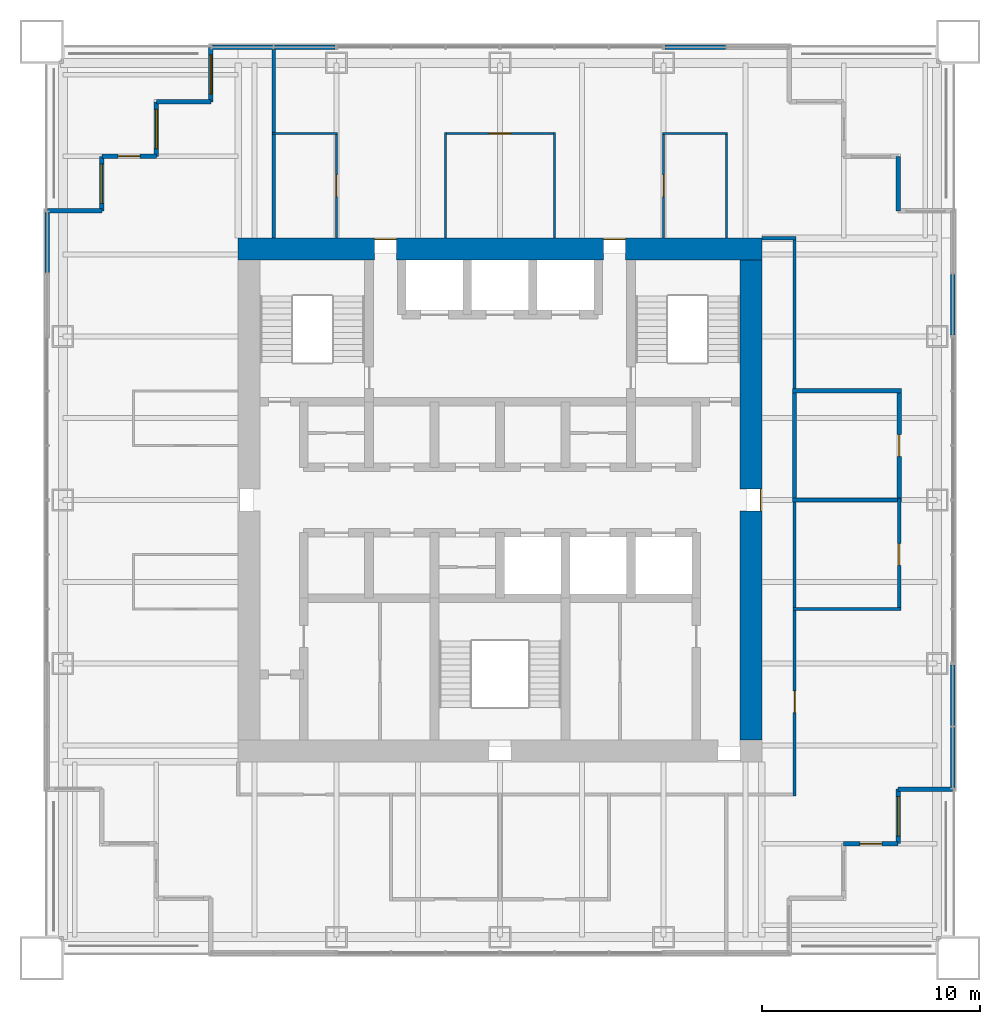
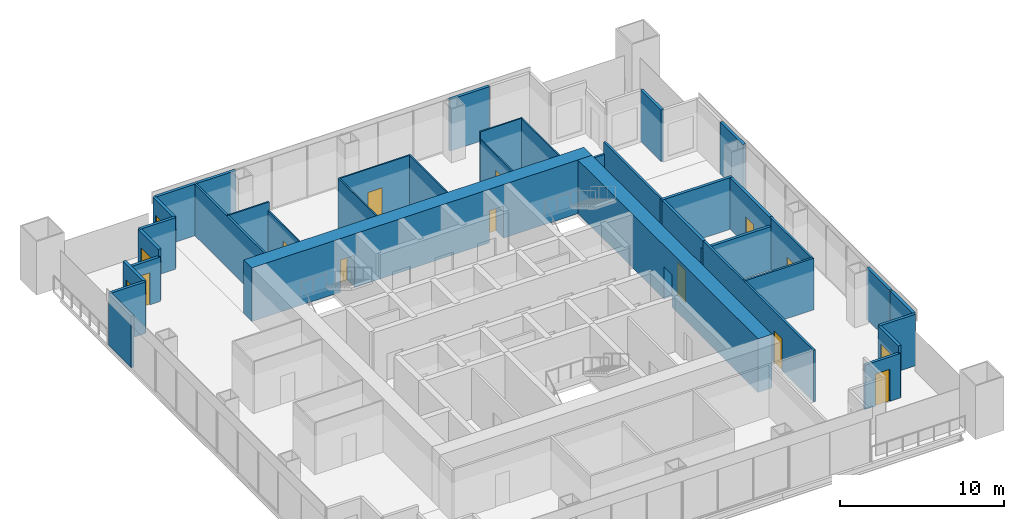
# One storey, part 11 of 14: 37 walls, 11 doors, 4 windows, 15 openings.
"""IFC4 building model written with IfcOpenShell, lengths in metres."""

from ifc_helpers import new_model, si_unit, direction, frame, frame_2d, origin, place, context, subcontext, project, spatial, rectangle, extrude, material, layer, layer_set, type_object, element, fill, save


model = new_model("IFC4")

# Units and contexts
model_context = context("Model", 3, precision=1e-05, world=origin(), true_north=direction((0.0, 1.0)))
body_context = subcontext(model_context, "Body", "Model", "MODEL_VIEW")
ifc_project = project(units=[si_unit("LENGTHUNIT", "METRE"), si_unit("AREAUNIT", "SQUARE_METRE"), si_unit("VOLUMEUNIT", "CUBIC_METRE"), si_unit("PLANEANGLEUNIT", "RADIAN"), si_unit("MASSUNIT", "GRAM", prefix="KILO")], contexts=[model_context])

# Site, building, storey
site_placement = place(None, origin())
site = spatial("IfcSite", under=ifc_project, at=site_placement, CompositionType="ELEMENT")
building_placement = place(site_placement, origin())
building = spatial("IfcBuilding", under=site, at=building_placement, Name="Tarangal Relay Tower", CompositionType="ELEMENT")
storey_placement = place(building_placement, frame((0.0, 0.0, 287.89990234375)))
storey = spatial("IfcBuildingStorey", under=building, at=storey_placement, Name="L63", CompositionType="ELEMENT", Elevation=287.89990234375)

# Walls
ifc_material_1 = material(Name="Two layers gypsum board each side on twin steel studs, mineral wool", Category="steel")
ifc_layer_1 = layer(ifc_material_1, 0.199951171875)
ifc_layer_set_1 = layer_set([ifc_layer_1], Name="Acoustic partition 200")
wall_type_1 = type_object("IfcWallType", Name="Acoustic partition 200", PredefinedType="PARTITIONING", material=ifc_layer_set_1)
wall_1_placement = place(storey_placement, frame((13.39990234375, 0.0, 0.0), z_axis=(0.0, 0.0, 1.0), x_axis=(1.0, 0.0, 0.0)))
element("IfcWall", 1, at=wall_1_placement, inside=storey, type_object=wall_type_1, Name="Partition PT2 L63", PredefinedType="PARTITIONING", context=body_context, shape_type="SweptSolid", body=[
    extrude(rectangle(XDim=5.0, YDim=0.199951171875, at=frame_2d((2.5, 0.0))), origin(), (0.0, 0.0, 1.0), 3.2431640625),
])
wall_2_placement = place(storey_placement, frame((13.39990234375, 5.0, 0.0), z_axis=(0.0, 0.0, 1.0), x_axis=(1.0, 0.0, 0.0)))
element("IfcWall", 2, at=wall_2_placement, inside=storey, type_object=wall_type_1, Name="Partition PT2 L63", PredefinedType="PARTITIONING", context=body_context, shape_type="SweptSolid", body=[
    extrude(rectangle(XDim=5.0, YDim=0.199951171875, at=frame_2d((2.5, 0.0))), origin(), (0.0, 0.0, 1.0), 3.85009765625),
])
wall_3_placement = place(storey_placement, frame((13.5, -0.10009765625, 0.0), z_axis=(0.0, 0.0, 1.0), x_axis=(0.0, 1.0, 0.0)))
element("IfcWall", 3, at=wall_3_placement, inside=storey, type_object=wall_type_1, Name="Partition PT2 L63", PredefinedType="PARTITIONING", context=body_context, shape_type="SweptSolid", body=[
    extrude(rectangle(XDim=5.2001953125, YDim=0.199951171875, at=frame_2d((2.60009765625, 0.0))), origin(), (0.0, 0.0, 1.0), 3.85009765625),
])

# Wall, opening, door
wall_4_placement = place(storey_placement, frame((18.300048828125, -0.10009765625, 0.0), z_axis=(0.0, 0.0, 1.0), x_axis=(0.0, 1.0, 0.0)))
wall_4 = element("IfcWall", 4, at=wall_4_placement, inside=storey, type_object=wall_type_1, Name="Partition PT2 L63", PredefinedType="PARTITIONING", context=body_context, shape_type="SweptSolid", body=[
    extrude(rectangle(XDim=5.2001953125, YDim=0.199951171875, at=frame_2d((2.60009765625, 0.0))), origin(), (0.0, 0.0, 1.0), 3.85009765625),
])
opening_1_placement = place(wall_4_placement, frame((2.10009765625, 0.0, 0.0)))
opening_1 = element("IfcOpeningElement", 5, at=opening_1_placement, cuts=wall_4, Name="Opening D2", PredefinedType="OPENING", context=body_context, shape_type="SweptSolid", body=[
    extrude(rectangle(XDim=1.0, YDim=2.10009765625, at=frame_2d((0.5, 1.050048828125))), frame((0.0, 0.10986328125, 0.0), z_axis=(0.0, -1.0, 0.0), x_axis=(1.0, 0.0, 0.0)), (0.0, 0.0, 1.0), 0.219970703125),
])
ifc_material_2 = material(Name="Hardwood door", Category="wood")
door_type_1 = type_object("IfcDoorType", Name="Door 1000 x 2100", OperationType="SINGLE_SWING_LEFT", PredefinedType="DOOR", material=ifc_material_2)
door_1_placement = place(opening_1_placement, origin())
door_1 = element("IfcDoor", 6, at=door_1_placement, inside=storey, type_object=door_type_1, Name="Door D2 to wellness room L63-05", OperationType="SINGLE_SWING_LEFT", OverallHeight=2.10009765625, OverallWidth=1.0, PredefinedType="DOOR", context=body_context, shape_type="SweptSolid", body=[
    extrude(rectangle(XDim=1.0, YDim=2.10009765625, at=frame_2d((0.5, 1.050048828125))), frame((0.0, 0.02490234375, 0.0), z_axis=(0.0, -1.0, 0.0), x_axis=(1.0, 0.0, 0.0)), (0.0, 0.0, 1.0), 0.050048828125),
])
fill(opening_1, door_1)

# Wall, openings, doors
ifc_material_3 = material(Name="Concrete fc' 60 MPa", Category="concrete")
ifc_layer_2 = layer(ifc_material_3, 1.0)
ifc_layer_set_2 = layer_set([ifc_layer_2], Name="Core wall 1000")
wall_type_2 = type_object("IfcWallType", Name="Core wall 1000", PredefinedType="SHEAR", material=ifc_layer_set_2)
wall_5_placement = place(storey_placement, frame((-12.0, 11.5, 0.0), z_axis=(0.0, 0.0, 1.0), x_axis=(1.0, 0.0, 0.0)))
wall_5 = element("IfcWall", 7, at=wall_5_placement, inside=storey, type_object=wall_type_2, Name="Core wall N L63", PredefinedType="SHEAR", context=body_context, shape_type="SweptSolid", body=[
    extrude(rectangle(XDim=24.0, YDim=1.0, at=frame_2d((12.0, 0.0))), origin(), (0.0, 0.0, 1.0), 4.0),
])
opening_2_placement = place(wall_5_placement, frame((6.25, 0.0, 0.0)))
opening_2 = element("IfcOpeningElement", 8, at=opening_2_placement, cuts=wall_5, Name="Opening FD3", PredefinedType="OPENING", context=body_context, shape_type="SweptSolid", body=[
    extrude(rectangle(XDim=1.0, YDim=2.39990234375, at=frame_2d((0.5, 1.199951171875))), frame((0.0, 0.510009765625, 0.0), z_axis=(0.0, -1.0, 0.0), x_axis=(1.0, 0.0, 0.0)), (0.0, 0.0, 1.0), 1.02001953125),
])
opening_3_placement = place(wall_5_placement, frame((16.75, 0.0, 0.0)))
opening_3 = element("IfcOpeningElement", 9, at=opening_3_placement, cuts=wall_5, Name="Opening FD3", PredefinedType="OPENING", context=body_context, shape_type="SweptSolid", body=[
    extrude(rectangle(XDim=1.0, YDim=2.39990234375, at=frame_2d((0.5, 1.199951171875))), frame((0.0, 0.510009765625, 0.0), z_axis=(0.0, -1.0, 0.0), x_axis=(1.0, 0.0, 0.0)), (0.0, 0.0, 1.0), 1.02001953125),
])
ifc_material_4 = material(Name="Steel door with hardwood frame", Category="steel")
door_type_2 = type_object("IfcDoorType", Name="Fire door 1000 x 2400 core entry", OperationType="SINGLE_SWING_RIGHT", PredefinedType="DOOR", material=ifc_material_4)
door_2_placement = place(opening_2_placement, origin())
door_2 = element("IfcDoor", 10, at=door_2_placement, inside=storey, type_object=door_type_2, Name="Core entry door north west L63", OperationType="SINGLE_SWING_RIGHT", OverallHeight=2.39990234375, OverallWidth=1.0, PredefinedType="DOOR", context=body_context, shape_type="SweptSolid", body=[
    extrude(rectangle(XDim=1.0, YDim=2.39990234375, at=frame_2d((0.5, 1.199951171875))), frame((0.0, 0.48486328125, 0.0), z_axis=(0.0, -1.0, 0.0), x_axis=(1.0, 0.0, 0.0)), (0.0, 0.0, 1.0), 0.050048828125),
])
fill(opening_2, door_2)
door_3_placement = place(opening_3_placement, origin())
door_3 = element("IfcDoor", 11, at=door_3_placement, inside=storey, type_object=door_type_2, Name="Core entry door north east L63", OperationType="SINGLE_SWING_RIGHT", OverallHeight=2.39990234375, OverallWidth=1.0, PredefinedType="DOOR", context=body_context, shape_type="SweptSolid", body=[
    extrude(rectangle(XDim=1.0, YDim=2.39990234375, at=frame_2d((0.5, 1.199951171875))), frame((0.0, 0.48486328125, 0.0), z_axis=(0.0, -1.0, 0.0), x_axis=(1.0, 0.0, 0.0)), (0.0, 0.0, 1.0), 0.050048828125),
])
fill(opening_3, door_3)

# Wall, opening, door
wall_6_placement = place(storey_placement, frame((11.5, 11.0, 0.0), z_axis=(0.0, 0.0, 1.0), x_axis=(0.0, -1.0, 0.0)))
wall_6 = element("IfcWall", 12, at=wall_6_placement, inside=storey, type_object=wall_type_2, Name="Core wall E L63", PredefinedType="SHEAR", context=body_context, shape_type="SweptSolid", body=[
    extrude(rectangle(XDim=22.0, YDim=1.0, at=frame_2d((11.0, 0.0))), origin(), (0.0, 0.0, 1.0), 4.0),
])
opening_4_placement = place(wall_6_placement, frame((10.5, 0.0, 0.0)))
opening_4 = element("IfcOpeningElement", 13, at=opening_4_placement, cuts=wall_6, Name="Opening FD3", PredefinedType="OPENING", context=body_context, shape_type="SweptSolid", body=[
    extrude(rectangle(XDim=1.0, YDim=2.39990234375, at=frame_2d((0.5, 1.199951171875))), frame((0.0, 0.510009765625, 0.0), z_axis=(0.0, -1.0, 0.0), x_axis=(1.0, 0.0, 0.0)), (0.0, 0.0, 1.0), 1.02001953125),
])
door_4_placement = place(opening_4_placement, origin())
door_4 = element("IfcDoor", 14, at=door_4_placement, inside=storey, type_object=door_type_2, Name="Core entry door east L63", OperationType="SINGLE_SWING_RIGHT", OverallHeight=2.39990234375, OverallWidth=1.0, PredefinedType="DOOR", context=body_context, shape_type="SweptSolid", body=[
    extrude(rectangle(XDim=1.0, YDim=2.39990234375, at=frame_2d((0.5, 1.199951171875))), frame((0.0, 0.48486328125, 0.0), z_axis=(0.0, -1.0, 0.0), x_axis=(1.0, 0.0, 0.0)), (0.0, 0.0, 1.0), 0.050048828125),
])
fill(opening_4, door_4)

# Walls
ifc_material_5 = material(Name="Black metal clad insulated wall", Category="steel")
ifc_layer_3 = layer(ifc_material_5, 0.199951171875)
ifc_layer_set_3 = layer_set([ifc_layer_3], Name="Corner wall metal clad 200")
wall_type_3 = type_object("IfcWallType", Name="Corner wall metal clad 200", PredefinedType="SOLIDWALL", material=ifc_layer_set_3)
for number, where, z_axis, x_axis, name in (
    (15, (18.25, 15.75, 0.0), (0.0, 0.0, 1.0), (0.0, -1.0, 0.0), "Facade wall N facade L63"),
    (16, (20.75, -13.25, 0.0), (0.0, 0.0, 1.0), (-1.0, 0.0, 0.0), "Facade wall E facade L63"),
):
    element("IfcWall", number, at=place(storey_placement, frame(where, z_axis=z_axis, x_axis=x_axis)), inside=storey, type_object=wall_type_3, Name=name, PredefinedType="SOLIDWALL", context=body_context, shape_type="SweptSolid", body=[
        extrude(rectangle(XDim=2.5, YDim=0.199951171875, at=frame_2d((1.25, 0.0))), origin(), (0.0, 0.0, 1.0), 3.85009765625),
    ])

# Wall, opening, window
wall_7_placement = place(storey_placement, frame((18.25, -13.25, 0.0), z_axis=(0.0, 0.0, 1.0), x_axis=(0.0, -1.0, 0.0)))
wall_7 = element("IfcWall", 17, at=wall_7_placement, inside=storey, type_object=wall_type_3, Name="Facade wall E facade L63", PredefinedType="SOLIDWALL", context=body_context, shape_type="SweptSolid", body=[
    extrude(rectangle(XDim=2.5, YDim=0.199951171875, at=frame_2d((1.25, 0.0))), origin(), (0.0, 0.0, 1.0), 3.85009765625),
])
opening_5_placement = place(wall_7_placement, frame((0.35009765625, 0.0, 0.300048828125)))
opening_5 = element("IfcOpeningElement", 18, at=opening_5_placement, cuts=wall_7, Name="Opening WN2", PredefinedType="OPENING", context=body_context, shape_type="SweptSolid", body=[
    extrude(rectangle(XDim=1.800048828125, YDim=2.39990234375, at=frame_2d((0.89990234375, 1.199951171875))), frame((0.0, 0.10986328125, 0.0), z_axis=(0.0, -1.0, 0.0), x_axis=(1.0, 0.0, 0.0)), (0.0, 0.0, 1.0), 0.219970703125),
])
ifc_material_6 = material(Name="Dark tinted double glazing in black aluminium frame", Category="aluminium")
window_type = type_object("IfcWindowType", Name="Corner window 1800 x 2400", PartitioningType="SINGLE_PANEL", PredefinedType="WINDOW", material=ifc_material_6)
window_1_placement = place(opening_5_placement, origin())
window_1 = element("IfcWindow", 19, at=window_1_placement, inside=storey, type_object=window_type, Name="Corner window WN2 E facade L63", OverallHeight=2.39990234375, OverallWidth=1.800048828125, PartitioningType="SINGLE_PANEL", PredefinedType="WINDOW", context=body_context, shape_type="SweptSolid", body=[
    extrude(rectangle(XDim=1.800048828125, YDim=2.39990234375, at=frame_2d((0.89990234375, 1.199951171875))), frame((0.0, 0.030029296875, 0.0), z_axis=(0.0, -1.0, 0.0), x_axis=(1.0, 0.0, 0.0)), (0.0, 0.0, 1.0), 0.06005859375),
])
fill(opening_5, window_1)

# Wall, opening, door
wall_8_placement = place(storey_placement, frame((18.25, -15.75, 0.0), z_axis=(0.0, 0.0, 1.0), x_axis=(-1.0, 0.0, 0.0)))
wall_8 = element("IfcWall", 20, at=wall_8_placement, inside=storey, type_object=wall_type_3, Name="Facade wall E facade L63", PredefinedType="SOLIDWALL", context=body_context, shape_type="SweptSolid", body=[
    extrude(rectangle(XDim=2.5, YDim=0.199951171875, at=frame_2d((1.25, 0.0))), origin(), (0.0, 0.0, 1.0), 3.316650390625),
])
opening_6_placement = place(wall_8_placement, frame((0.75, 0.0, 0.0)))
opening_6 = element("IfcOpeningElement", 21, at=opening_6_placement, cuts=wall_8, Name="Opening TD1", PredefinedType="OPENING", context=body_context, shape_type="SweptSolid", body=[
    extrude(rectangle(XDim=1.0, YDim=2.39990234375, at=frame_2d((0.5, 1.199951171875))), frame((0.0, 0.10986328125, 0.0), z_axis=(0.0, -1.0, 0.0), x_axis=(1.0, 0.0, 0.0)), (0.0, 0.0, 1.0), 0.219970703125),
])
ifc_material_7 = material(Name="Aluminium glazed door", Category="aluminium")
door_type_3 = type_object("IfcDoorType", Name="Terrace door 1000 x 2400", OperationType="SINGLE_SWING_RIGHT", PredefinedType="DOOR", material=ifc_material_7)
door_5_placement = place(opening_6_placement, origin())
door_5 = element("IfcDoor", 22, at=door_5_placement, inside=storey, type_object=door_type_3, Name="Terrace door TD1 SE L63", OperationType="SINGLE_SWING_RIGHT", OverallHeight=2.39990234375, OverallWidth=1.0, PredefinedType="DOOR", context=body_context, shape_type="SweptSolid", body=[
    extrude(rectangle(XDim=1.0, YDim=2.39990234375, at=frame_2d((0.5, 1.199951171875))), frame((0.0, 0.02490234375, 0.0), z_axis=(0.0, -1.0, 0.0), x_axis=(1.0, 0.0, 0.0)), (0.0, 0.0, 1.0), 0.050048828125),
])
fill(opening_6, door_5)

# Wall
wall_9_placement = place(storey_placement, frame((-20.75, 13.25, 0.0), z_axis=(0.0, 0.0, 1.0), x_axis=(1.0, 0.0, 0.0)))
element("IfcWall", 23, at=wall_9_placement, inside=storey, type_object=wall_type_3, Name="Facade wall W facade L63", PredefinedType="SOLIDWALL", context=body_context, shape_type="SweptSolid", body=[
    extrude(rectangle(XDim=2.5, YDim=0.199951171875, at=frame_2d((1.25, 0.0))), origin(), (0.0, 0.0, 1.0), 3.85009765625),
])

# Wall, opening, window
wall_10_placement = place(storey_placement, frame((-18.25, 13.25, 0.0), z_axis=(0.0, 0.0, 1.0), x_axis=(0.0, 1.0, 0.0)))
wall_10 = element("IfcWall", 24, at=wall_10_placement, inside=storey, type_object=wall_type_3, Name="Facade wall W facade L63", PredefinedType="SOLIDWALL", context=body_context, shape_type="SweptSolid", body=[
    extrude(rectangle(XDim=2.5, YDim=0.199951171875, at=frame_2d((1.25, 0.0))), origin(), (0.0, 0.0, 1.0), 3.85009765625),
])
opening_7_placement = place(wall_10_placement, frame((0.35009765625, 0.0, 0.300048828125)))
opening_7 = element("IfcOpeningElement", 25, at=opening_7_placement, cuts=wall_10, Name="Opening WN2", PredefinedType="OPENING", context=body_context, shape_type="SweptSolid", body=[
    extrude(rectangle(XDim=1.800048828125, YDim=2.39990234375, at=frame_2d((0.89990234375, 1.199951171875))), frame((0.0, 0.10986328125, 0.0), z_axis=(0.0, -1.0, 0.0), x_axis=(1.0, 0.0, 0.0)), (0.0, 0.0, 1.0), 0.219970703125),
])
window_2_placement = place(opening_7_placement, origin())
window_2 = element("IfcWindow", 26, at=window_2_placement, inside=storey, type_object=window_type, Name="Corner window WN2 W facade L63", OverallHeight=2.39990234375, OverallWidth=1.800048828125, PartitioningType="SINGLE_PANEL", PredefinedType="WINDOW", context=body_context, shape_type="SweptSolid", body=[
    extrude(rectangle(XDim=1.800048828125, YDim=2.39990234375, at=frame_2d((0.89990234375, 1.199951171875))), frame((0.0, 0.030029296875, 0.0), z_axis=(0.0, -1.0, 0.0), x_axis=(1.0, 0.0, 0.0)), (0.0, 0.0, 1.0), 0.06005859375),
])
fill(opening_7, window_2)

# Wall, opening, door
wall_11_placement = place(storey_placement, frame((-18.25, 15.75, 0.0), z_axis=(0.0, 0.0, 1.0), x_axis=(1.0, 0.0, 0.0)))
wall_11 = element("IfcWall", 27, at=wall_11_placement, inside=storey, type_object=wall_type_3, Name="Facade wall W facade L63", PredefinedType="SOLIDWALL", context=body_context, shape_type="SweptSolid", body=[
    extrude(rectangle(XDim=2.5, YDim=0.199951171875, at=frame_2d((1.25, 0.0))), origin(), (0.0, 0.0, 1.0), 3.316650390625),
])
opening_8_placement = place(wall_11_placement, frame((0.75, 0.0, 0.0)))
opening_8 = element("IfcOpeningElement", 28, at=opening_8_placement, cuts=wall_11, Name="Opening TD1", PredefinedType="OPENING", context=body_context, shape_type="SweptSolid", body=[
    extrude(rectangle(XDim=1.0, YDim=2.39990234375, at=frame_2d((0.5, 1.199951171875))), frame((0.0, 0.10986328125, 0.0), z_axis=(0.0, -1.0, 0.0), x_axis=(1.0, 0.0, 0.0)), (0.0, 0.0, 1.0), 0.219970703125),
])
door_6_placement = place(opening_8_placement, origin())
door_6 = element("IfcDoor", 29, at=door_6_placement, inside=storey, type_object=door_type_3, Name="Terrace door TD1 NW L63", OperationType="SINGLE_SWING_RIGHT", OverallHeight=2.39990234375, OverallWidth=1.0, PredefinedType="DOOR", context=body_context, shape_type="SweptSolid", body=[
    extrude(rectangle(XDim=1.0, YDim=2.39990234375, at=frame_2d((0.5, 1.199951171875))), frame((0.0, 0.02490234375, 0.0), z_axis=(0.0, -1.0, 0.0), x_axis=(1.0, 0.0, 0.0)), (0.0, 0.0, 1.0), 0.050048828125),
])
fill(opening_8, door_6)

# Wall, opening, window
wall_12_placement = place(storey_placement, frame((-15.75, 15.75, 0.0), z_axis=(0.0, 0.0, 1.0), x_axis=(0.0, 1.0, 0.0)))
wall_12 = element("IfcWall", 30, at=wall_12_placement, inside=storey, type_object=wall_type_3, Name="Facade wall W facade L63", PredefinedType="SOLIDWALL", context=body_context, shape_type="SweptSolid", body=[
    extrude(rectangle(XDim=2.5, YDim=0.199951171875, at=frame_2d((1.25, 0.0))), origin(), (0.0, 0.0, 1.0), 3.85009765625),
])
opening_9_placement = place(wall_12_placement, frame((0.35009765625, 0.0, 0.300048828125)))
opening_9 = element("IfcOpeningElement", 31, at=opening_9_placement, cuts=wall_12, Name="Opening WN2", PredefinedType="OPENING", context=body_context, shape_type="SweptSolid", body=[
    extrude(rectangle(XDim=1.800048828125, YDim=2.39990234375, at=frame_2d((0.89990234375, 1.199951171875))), frame((0.0, 0.10986328125, 0.0), z_axis=(0.0, -1.0, 0.0), x_axis=(1.0, 0.0, 0.0)), (0.0, 0.0, 1.0), 0.219970703125),
])
window_3_placement = place(opening_9_placement, origin())
window_3 = element("IfcWindow", 32, at=window_3_placement, inside=storey, type_object=window_type, Name="Corner window WN2 W facade L63", OverallHeight=2.39990234375, OverallWidth=1.800048828125, PartitioningType="SINGLE_PANEL", PredefinedType="WINDOW", context=body_context, shape_type="SweptSolid", body=[
    extrude(rectangle(XDim=1.800048828125, YDim=2.39990234375, at=frame_2d((0.89990234375, 1.199951171875))), frame((0.0, 0.030029296875, 0.0), z_axis=(0.0, -1.0, 0.0), x_axis=(1.0, 0.0, 0.0)), (0.0, 0.0, 1.0), 0.06005859375),
])
fill(opening_9, window_3)

# Wall
wall_13_placement = place(storey_placement, frame((-15.75, 18.25, 0.0), z_axis=(0.0, 0.0, 1.0), x_axis=(1.0, 0.0, 0.0)))
element("IfcWall", 33, at=wall_13_placement, inside=storey, type_object=wall_type_3, Name="Facade wall W facade L63", PredefinedType="SOLIDWALL", context=body_context, shape_type="SweptSolid", body=[
    extrude(rectangle(XDim=2.5, YDim=0.199951171875, at=frame_2d((1.25, 0.0))), origin(), (0.0, 0.0, 1.0), 3.85009765625),
])

# Wall, opening, window
wall_14_placement = place(storey_placement, frame((-13.25, 18.25, 0.0), z_axis=(0.0, 0.0, 1.0), x_axis=(0.0, 1.0, 0.0)))
wall_14 = element("IfcWall", 34, at=wall_14_placement, inside=storey, type_object=wall_type_3, Name="Facade wall W facade L63", PredefinedType="SOLIDWALL", context=body_context, shape_type="SweptSolid", body=[
    extrude(rectangle(XDim=2.5, YDim=0.199951171875, at=frame_2d((1.25, 0.0))), origin(), (0.0, 0.0, 1.0), 3.85009765625),
])
opening_10_placement = place(wall_14_placement, frame((0.35009765625, 0.0, 0.300048828125)))
opening_10 = element("IfcOpeningElement", 35, at=opening_10_placement, cuts=wall_14, Name="Opening WN2", PredefinedType="OPENING", context=body_context, shape_type="SweptSolid", body=[
    extrude(rectangle(XDim=1.800048828125, YDim=2.39990234375, at=frame_2d((0.89990234375, 1.199951171875))), frame((0.0, 0.10986328125, 0.0), z_axis=(0.0, -1.0, 0.0), x_axis=(1.0, 0.0, 0.0)), (0.0, 0.0, 1.0), 0.219970703125),
])
window_4_placement = place(opening_10_placement, origin())
window_4 = element("IfcWindow", 36, at=window_4_placement, inside=storey, type_object=window_type, Name="Corner window WN2 W facade L63", OverallHeight=2.39990234375, OverallWidth=1.800048828125, PartitioningType="SINGLE_PANEL", PredefinedType="WINDOW", context=body_context, shape_type="SweptSolid", body=[
    extrude(rectangle(XDim=1.800048828125, YDim=2.39990234375, at=frame_2d((0.89990234375, 1.199951171875))), frame((0.0, 0.030029296875, 0.0), z_axis=(0.0, -1.0, 0.0), x_axis=(1.0, 0.0, 0.0)), (0.0, 0.0, 1.0), 0.06005859375),
])
fill(opening_10, window_4)

# Walls
ifc_layer_4 = layer(ifc_material_5, 0.199951171875)
ifc_layer_set_4 = layer_set([ifc_layer_4], Name="Facade infill wall metal clad 200")
wall_type_4 = type_object("IfcWallType", Name="Facade infill wall metal clad 200", PredefinedType="SOLIDWALL", material=ifc_layer_set_4)
for number, where, z_axis, x_axis, name in (
    (37, (-13.18994140625, 20.75, 0.0), (0.0, 0.0, 1.0), (1.0, 0.0, 0.0), "Facade infill wall N facade L63 1.1"),
    (38, (-10.344970703125, 20.75, 0.0), (0.0, 0.0, 1.0), (1.0, 0.0, 0.0), "Facade infill wall N facade L63 2.1"),
    (39, (7.56005859375, 20.75, 0.0), (0.0, 0.0, 1.0), (1.0, 0.0, 0.0), "Facade infill wall N facade L63 1.1"),
    (40, (20.75, 10.344970703125, 0.0), (0.0, 0.0, 1.0), (0.0, -1.0, 0.0), "Facade infill wall E facade L63 2.1"),
    (41, (20.75, -7.56005859375, 0.0), (0.0, 0.0, 1.0), (0.0, -1.0, 0.0), "Facade infill wall E facade L63 1.1"),
    (42, (20.75, -10.405029296875, 0.0), (0.0, 0.0, 1.0), (0.0, -1.0, 0.0), "Facade infill wall E facade L63 2.1"),
    (43, (-20.75, 10.405029296875, 0.0), (0.0, 0.0, 1.0), (0.0, 1.0, 0.0), "Facade infill wall W facade L63 2.1"),
):
    element("IfcWall", number, at=place(storey_placement, frame(where, z_axis=z_axis, x_axis=x_axis)), inside=storey, type_object=wall_type_4, Name=name, PredefinedType="SOLIDWALL", context=body_context, shape_type="SweptSolid", body=[
        extrude(rectangle(XDim=2.784912109375, YDim=0.199951171875, at=frame_2d((1.392578125, 0.0))), origin(), (0.0, 0.0, 1.0), 3.85009765625),
    ])
ifc_material_8 = material(Name="Double glazed aluminium framed partition", Category="aluminium")
ifc_layer_5 = layer(ifc_material_8, 0.10009765625)
ifc_layer_set_5 = layer_set([ifc_layer_5], Name="Glazed partition 100")
wall_type_5 = type_object("IfcWallType", Name="Glazed partition 100", PredefinedType="PARTITIONING", material=ifc_layer_set_5)
wall_15_placement = place(storey_placement, frame((-10.425048828125, 16.800048828125, 0.0), z_axis=(0.0, 0.0, 1.0), x_axis=(1.0, 0.0, 0.0)))
element("IfcWall", 44, at=wall_15_placement, inside=storey, type_object=wall_type_5, Name="Partition PT3 L63", PredefinedType="PARTITIONING", context=body_context, shape_type="SweptSolid", body=[
    extrude(rectangle(XDim=2.97509765625, YDim=0.10009765625, at=frame_2d((1.487548828125, 0.0))), origin(), (0.0, 0.0, 1.0), 3.85009765625),
])

# Wall, opening, door
wall_16_placement = place(storey_placement, frame((-2.550048828125, 16.800048828125, 0.0), z_axis=(0.0, 0.0, 1.0), x_axis=(1.0, 0.0, 0.0)))
wall_16 = element("IfcWall", 45, at=wall_16_placement, inside=storey, type_object=wall_type_5, Name="Partition PT3 L63", PredefinedType="PARTITIONING", context=body_context, shape_type="SweptSolid", body=[
    extrude(rectangle(XDim=5.10009765625, YDim=0.10009765625, at=frame_2d((2.550048828125, 0.0))), origin(), (0.0, 0.0, 1.0), 3.85009765625),
])
opening_11_placement = place(wall_16_placement, frame((2.050048828125, 0.0, 0.0)))
opening_11 = element("IfcOpeningElement", 46, at=opening_11_placement, cuts=wall_16, Name="Opening D3", PredefinedType="OPENING", context=body_context, shape_type="SweptSolid", body=[
    extrude(rectangle(XDim=1.0, YDim=2.10009765625, at=frame_2d((0.5, 1.050048828125))), frame((0.0, 0.06005859375, 0.0), z_axis=(0.0, -1.0, 0.0), x_axis=(1.0, 0.0, 0.0)), (0.0, 0.0, 1.0), 0.1201171875),
])
ifc_material_9 = material(Name="Frameless glass door", Category="glass")
door_type_4 = type_object("IfcDoorType", Name="Glazed door 1000 x 2100", OperationType="SINGLE_SWING_LEFT", PredefinedType="DOOR", material=ifc_material_9)
door_7_placement = place(opening_11_placement, origin())
door_7 = element("IfcDoor", 47, at=door_7_placement, inside=storey, type_object=door_type_4, Name="Door D3 to meeting room L63-03", OperationType="SINGLE_SWING_LEFT", OverallHeight=2.10009765625, OverallWidth=1.0, PredefinedType="DOOR", context=body_context, shape_type="SweptSolid", body=[
    extrude(rectangle(XDim=1.0, YDim=2.10009765625, at=frame_2d((0.5, 1.050048828125))), frame((0.0, 0.02490234375, 0.0), z_axis=(0.0, -1.0, 0.0), x_axis=(1.0, 0.0, 0.0)), (0.0, 0.0, 1.0), 0.050048828125),
])
fill(opening_11, door_7)

# Wall
wall_17_placement = place(storey_placement, frame((7.449951171875, 16.800048828125, 0.0), z_axis=(0.0, 0.0, 1.0), x_axis=(1.0, 0.0, 0.0)))
element("IfcWall", 48, at=wall_17_placement, inside=storey, type_object=wall_type_5, Name="Partition PT3 L63", PredefinedType="PARTITIONING", context=body_context, shape_type="SweptSolid", body=[
    extrude(rectangle(XDim=2.97509765625, YDim=0.10009765625, at=frame_2d((1.487548828125, 0.0))), origin(), (0.0, 0.0, 1.0), 3.85009765625),
])

# Wall, opening, door
wall_18_placement = place(storey_placement, frame((-7.5, 12.0, 0.0), z_axis=(0.0, 0.0, 1.0), x_axis=(0.0, 1.0, 0.0)))
wall_18 = element("IfcWall", 49, at=wall_18_placement, inside=storey, type_object=wall_type_5, Name="Partition PT3 L63", PredefinedType="PARTITIONING", context=body_context, shape_type="SweptSolid", body=[
    extrude(rectangle(XDim=4.85009765625, YDim=0.10009765625, at=frame_2d((2.425048828125, 0.0))), origin(), (0.0, 0.0, 1.0), 3.2431640625),
])
opening_12_placement = place(wall_18_placement, frame((1.89990234375, 0.0, 0.0)))
opening_12 = element("IfcOpeningElement", 50, at=opening_12_placement, cuts=wall_18, Name="Opening D3", PredefinedType="OPENING", context=body_context, shape_type="SweptSolid", body=[
    extrude(rectangle(XDim=1.0, YDim=2.10009765625, at=frame_2d((0.5, 1.050048828125))), frame((0.0, 0.06005859375, 0.0), z_axis=(0.0, -1.0, 0.0), x_axis=(1.0, 0.0, 0.0)), (0.0, 0.0, 1.0), 0.1201171875),
])
door_8_placement = place(opening_12_placement, origin())
door_8 = element("IfcDoor", 51, at=door_8_placement, inside=storey, type_object=door_type_4, Name="Door D3 to project room L63-02", OperationType="SINGLE_SWING_LEFT", OverallHeight=2.10009765625, OverallWidth=1.0, PredefinedType="DOOR", context=body_context, shape_type="SweptSolid", body=[
    extrude(rectangle(XDim=1.0, YDim=2.10009765625, at=frame_2d((0.5, 1.050048828125))), frame((0.0, 0.02490234375, 0.0), z_axis=(0.0, -1.0, 0.0), x_axis=(1.0, 0.0, 0.0)), (0.0, 0.0, 1.0), 0.050048828125),
])
fill(opening_12, door_8)

# Walls
for number, where, z_axis, x_axis, name in (
    (52, (-2.5, 12.0, 0.0), (0.0, 0.0, 1.0), (0.0, 1.0, 0.0), "Partition PT3 L63"),
    (53, (2.5, 12.0, 0.0), (0.0, 0.0, 1.0), (0.0, 1.0, 0.0), "Partition PT3 L63"),
):
    element("IfcWall", number, at=place(storey_placement, frame(where, z_axis=z_axis, x_axis=x_axis)), inside=storey, type_object=wall_type_5, Name=name, PredefinedType="PARTITIONING", context=body_context, shape_type="SweptSolid", body=[
        extrude(rectangle(XDim=4.85009765625, YDim=0.10009765625, at=frame_2d((2.425048828125, 0.0))), origin(), (0.0, 0.0, 1.0), 3.85009765625),
    ])

# Wall, opening, door
wall_19_placement = place(storey_placement, frame((7.5, 12.0, 0.0), z_axis=(0.0, 0.0, 1.0), x_axis=(0.0, 1.0, 0.0)))
wall_19 = element("IfcWall", 54, at=wall_19_placement, inside=storey, type_object=wall_type_5, Name="Partition PT3 L63", PredefinedType="PARTITIONING", context=body_context, shape_type="SweptSolid", body=[
    extrude(rectangle(XDim=4.85009765625, YDim=0.10009765625, at=frame_2d((2.425048828125, 0.0))), origin(), (0.0, 0.0, 1.0), 3.2431640625),
])
opening_13_placement = place(wall_19_placement, frame((1.89990234375, 0.0, 0.0)))
opening_13 = element("IfcOpeningElement", 55, at=opening_13_placement, cuts=wall_19, Name="Opening D3", PredefinedType="OPENING", context=body_context, shape_type="SweptSolid", body=[
    extrude(rectangle(XDim=1.0, YDim=2.10009765625, at=frame_2d((0.5, 1.050048828125))), frame((0.0, 0.06005859375, 0.0), z_axis=(0.0, -1.0, 0.0), x_axis=(1.0, 0.0, 0.0)), (0.0, 0.0, 1.0), 0.1201171875),
])
door_9_placement = place(opening_13_placement, origin())
door_9 = element("IfcDoor", 56, at=door_9_placement, inside=storey, type_object=door_type_4, Name="Door D3 to project room L63-04", OperationType="SINGLE_SWING_LEFT", OverallHeight=2.10009765625, OverallWidth=1.0, PredefinedType="DOOR", context=body_context, shape_type="SweptSolid", body=[
    extrude(rectangle(XDim=1.0, YDim=2.10009765625, at=frame_2d((0.5, 1.050048828125))), frame((0.0, 0.02490234375, 0.0), z_axis=(0.0, -1.0, 0.0), x_axis=(1.0, 0.0, 0.0)), (0.0, 0.0, 1.0), 0.050048828125),
])
fill(opening_13, door_9)

# Walls
wall_20_placement = place(storey_placement, frame((10.375, 12.0, 0.0), z_axis=(0.0, 0.0, 1.0), x_axis=(0.0, 1.0, 0.0)))
element("IfcWall", 57, at=wall_20_placement, inside=storey, type_object=wall_type_5, Name="Partition PT3 L63", PredefinedType="PARTITIONING", context=body_context, shape_type="SweptSolid", body=[
    extrude(rectangle(XDim=4.85009765625, YDim=0.10009765625, at=frame_2d((2.425048828125, 0.0))), origin(), (0.0, 0.0, 1.0), 3.85009765625),
])
ifc_material_10 = material(Name="Gypsum board on steel studs", Category="steel")
ifc_layer_6 = layer(ifc_material_10, 0.14990234375)
ifc_layer_set_6 = layer_set([ifc_layer_6], Name="Partition 150")
wall_type_6 = type_object("IfcWallType", Name="Partition 150", PredefinedType="PARTITIONING", material=ifc_layer_set_6)
wall_21_placement = place(storey_placement, frame((13.425048828125, -5.0, 0.0), z_axis=(0.0, 0.0, 1.0), x_axis=(1.0, 0.0, 0.0)))
element("IfcWall", 58, at=wall_21_placement, inside=storey, type_object=wall_type_6, Name="Partition PT1 L63", PredefinedType="PARTITIONING", context=body_context, shape_type="SweptSolid", body=[
    extrude(rectangle(XDim=4.949951171875, YDim=0.14990234375, at=frame_2d((2.47509765625, 0.0))), origin(), (0.0, 0.0, 1.0), 3.85009765625),
])
wall_22_placement = place(storey_placement, frame((12.0, 12.0, 0.0), z_axis=(0.0, 0.0, 1.0), x_axis=(1.0, 0.0, 0.0)))
element("IfcWall", 59, at=wall_22_placement, inside=storey, type_object=wall_type_6, Name="Partition PT1 L63", PredefinedType="PARTITIONING", context=body_context, shape_type="SweptSolid", body=[
    extrude(rectangle(XDim=1.574951171875, YDim=0.14990234375, at=frame_2d((0.78759765625, 0.0))), origin(), (0.0, 0.0, 1.0), 3.009521484375),
])
wall_23_placement = place(storey_placement, frame((-10.375, 12.0, 0.0), z_axis=(0.0, 0.0, 1.0), x_axis=(0.0, 1.0, 0.0)))
element("IfcWall", 60, at=wall_23_placement, inside=storey, type_object=wall_type_6, Name="Partition PT1 L63", PredefinedType="PARTITIONING", context=body_context, shape_type="SweptSolid", body=[
    extrude(rectangle(XDim=8.64990234375, YDim=0.14990234375, at=frame_2d((4.324951171875, 0.0))), origin(), (0.0, 0.0, 1.0), 3.85009765625),
])

# Wall, opening, door
wall_24_placement = place(storey_placement, frame((13.5, -13.574951171875, 0.0), z_axis=(0.0, 0.0, 1.0), x_axis=(0.0, 1.0, 0.0)))
wall_24 = element("IfcWall", 61, at=wall_24_placement, inside=storey, type_object=wall_type_6, Name="Partition PT1 L63", PredefinedType="PARTITIONING", context=body_context, shape_type="SweptSolid", body=[
    extrude(rectangle(XDim=13.64990234375, YDim=0.14990234375, at=frame_2d((6.824951171875, 0.0))), origin(), (0.0, 0.0, 1.0), 3.85009765625),
])
opening_14_placement = place(wall_24_placement, frame((3.824951171875, 0.0, 0.0)))
opening_14 = element("IfcOpeningElement", 62, at=opening_14_placement, cuts=wall_24, Name="Opening SD1", PredefinedType="OPENING", context=body_context, shape_type="SweptSolid", body=[
    extrude(rectangle(XDim=1.0, YDim=2.39990234375, at=frame_2d((0.5, 1.199951171875))), frame((0.0, 0.0849609375, 0.0), z_axis=(0.0, -1.0, 0.0), x_axis=(1.0, 0.0, 0.0)), (0.0, 0.0, 1.0), 0.169921875),
])
door_type_5 = type_object("IfcDoorType", Name="Suite entrance door 1000 x 2400", OperationType="SINGLE_SWING_RIGHT", PredefinedType="DOOR", material=ifc_material_4)
door_10_placement = place(opening_14_placement, origin())
door_10 = element("IfcDoor", 63, at=door_10_placement, inside=storey, type_object=door_type_5, Name="Door SD1 to open plan office L63-11", OperationType="SINGLE_SWING_RIGHT", OverallHeight=2.39990234375, OverallWidth=1.0, PredefinedType="DOOR", context=body_context, shape_type="SweptSolid", body=[
    extrude(rectangle(XDim=1.0, YDim=2.39990234375, at=frame_2d((0.5, 1.199951171875))), frame((0.0, 0.02490234375, 0.0), z_axis=(0.0, -1.0, 0.0), x_axis=(1.0, 0.0, 0.0)), (0.0, 0.0, 1.0), 0.050048828125),
])
fill(opening_14, door_10)

# Wall
wall_25_placement = place(storey_placement, frame((13.5, 4.925048828125, 0.0), z_axis=(0.0, 0.0, 1.0), x_axis=(0.0, 1.0, 0.0)))
element("IfcWall", 64, at=wall_25_placement, inside=storey, type_object=wall_type_6, Name="Partition PT1 L63", PredefinedType="PARTITIONING", context=body_context, shape_type="SweptSolid", body=[
    extrude(rectangle(XDim=7.14990234375, YDim=0.14990234375, at=frame_2d((3.574951171875, 0.0))), origin(), (0.0, 0.0, 1.0), 3.85009765625),
])

# Wall, opening, door
wall_26_placement = place(storey_placement, frame((18.300048828125, -5.074951171875, 0.0), z_axis=(0.0, 0.0, 1.0), x_axis=(0.0, 1.0, 0.0)))
wall_26 = element("IfcWall", 65, at=wall_26_placement, inside=storey, type_object=wall_type_6, Name="Partition PT1 L63", PredefinedType="PARTITIONING", context=body_context, shape_type="SweptSolid", body=[
    extrude(rectangle(XDim=5.14990234375, YDim=0.14990234375, at=frame_2d((2.574951171875, 0.0))), origin(), (0.0, 0.0, 1.0), 3.85009765625),
])
opening_15_placement = place(wall_26_placement, frame((2.074951171875, 0.0, 0.0)))
opening_15 = element("IfcOpeningElement", 66, at=opening_15_placement, cuts=wall_26, Name="Opening D2", PredefinedType="OPENING", context=body_context, shape_type="SweptSolid", body=[
    extrude(rectangle(XDim=1.0, YDim=2.10009765625, at=frame_2d((0.5, 1.050048828125))), frame((0.0, 0.0849609375, 0.0), z_axis=(0.0, -1.0, 0.0), x_axis=(1.0, 0.0, 0.0)), (0.0, 0.0, 1.0), 0.169921875),
])
door_11_placement = place(opening_15_placement, origin())
door_11 = element("IfcDoor", 67, at=door_11_placement, inside=storey, type_object=door_type_1, Name="Door D2 to tea pantry L63-06", OperationType="SINGLE_SWING_LEFT", OverallHeight=2.10009765625, OverallWidth=1.0, PredefinedType="DOOR", context=body_context, shape_type="SweptSolid", body=[
    extrude(rectangle(XDim=1.0, YDim=2.10009765625, at=frame_2d((0.5, 1.050048828125))), frame((0.0, 0.02490234375, 0.0), z_axis=(0.0, -1.0, 0.0), x_axis=(1.0, 0.0, 0.0)), (0.0, 0.0, 1.0), 0.050048828125),
])
fill(opening_15, door_11)

save(model, "model.ifc")
